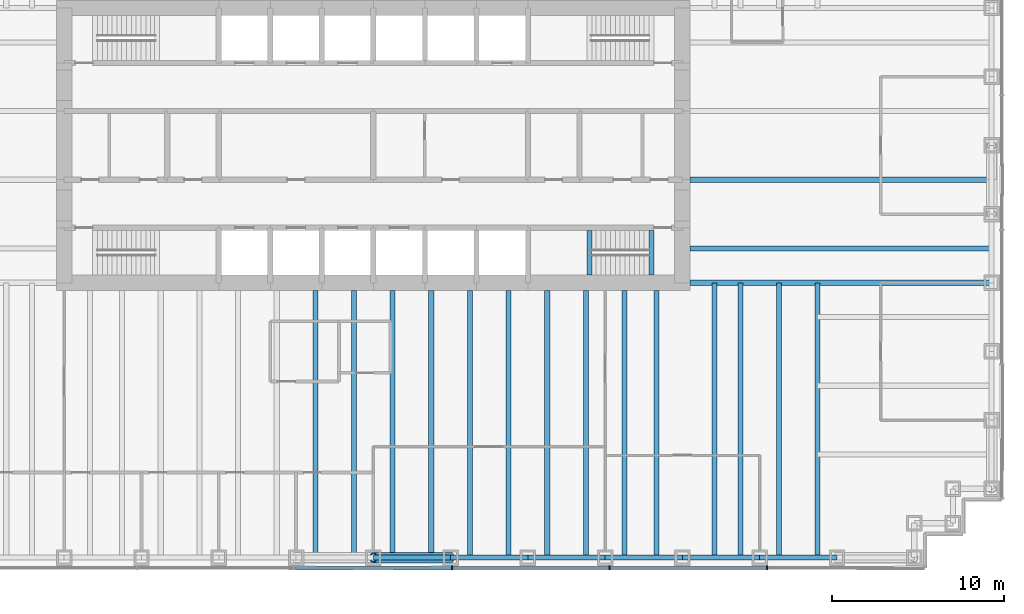
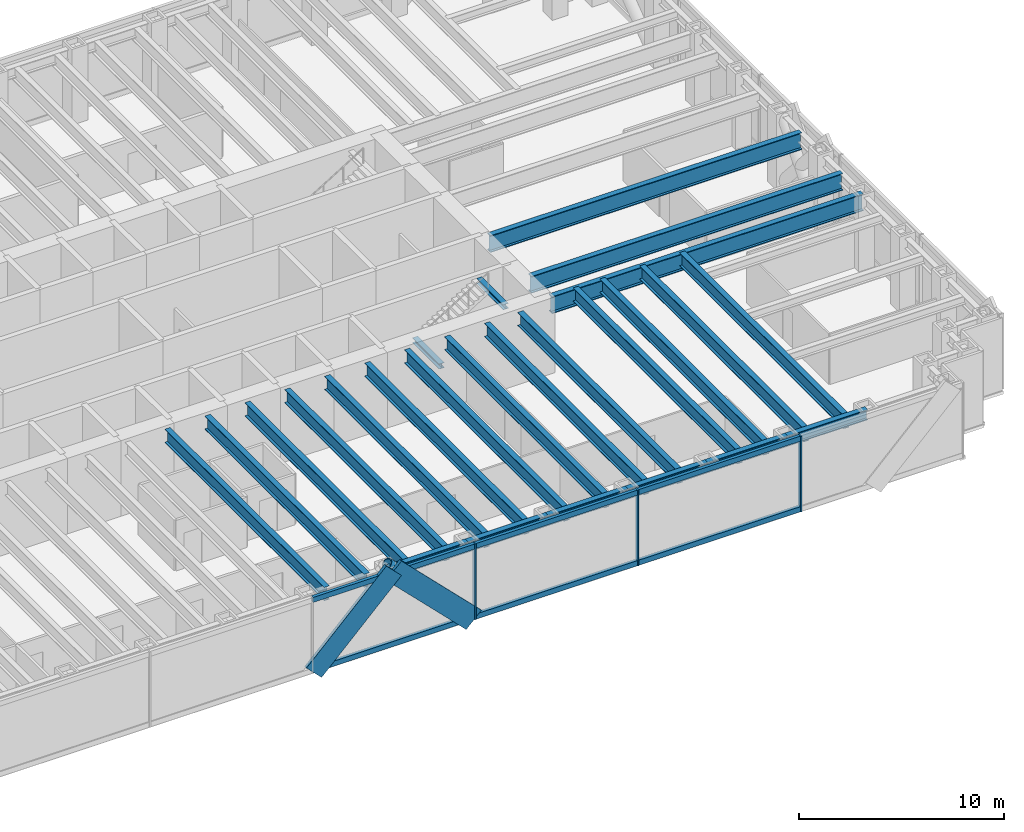
# One storey, part 3 of 13: 25 beams, 12 members, 1 element without a shape of its own.
"""IFC4 building model written with IfcOpenShell, lengths in metres."""

from ifc_helpers import new_model, si_unit, direction, frame, origin, origin_2d, place, context, subcontext, project, spatial, rectangle, hollow_circle, i_section, extrude, material, material_profile, profile_set, type_object, element, aggregate, save


model = new_model("IFC4")

# Units and contexts
model_context = context("Model", 3, precision=1e-05, world=origin(), true_north=direction((0.0, 1.0)))
body_context = subcontext(model_context, "Body", "Model", "MODEL_VIEW")
ifc_project = project(units=[si_unit("LENGTHUNIT", "METRE"), si_unit("AREAUNIT", "SQUARE_METRE"), si_unit("VOLUMEUNIT", "CUBIC_METRE"), si_unit("PLANEANGLEUNIT", "RADIAN"), si_unit("MASSUNIT", "GRAM", prefix="KILO")], contexts=[model_context])

# Site, building, storey
site_placement = place(None, origin())
site = spatial("IfcSite", under=ifc_project, at=site_placement, CompositionType="ELEMENT")
building_placement = place(site_placement, origin())
building = spatial("IfcBuilding", under=site, at=building_placement, Name="Rheinbord Bourse Tower", CompositionType="ELEMENT")
storey_placement = place(building_placement, frame((0.0, 0.0, 59.0)))
storey = spatial("IfcBuildingStorey", under=building, at=storey_placement, Name="L12", CompositionType="ELEMENT", Elevation=59.0)

# Curtain wall, members
ifc_material_1 = material(Name="Dark glass and black aluminium", Category="aluminium")
curtain_wall_type = type_object("IfcCurtainWallType", Name="CW1 DARK GLASS CURTAIN WALL", PredefinedType="USERDEFINED", material=ifc_material_1)
curtain_wall_placement = place(storey_placement, origin())
curtain_wall = element("IfcCurtainWall", 1, at=curtain_wall_placement, inside=storey, type_object=curtain_wall_type, Name="Curtain wall CW1 S L12", ObjectType="UNITISED CURTAIN WALL", PredefinedType="USERDEFINED")
ifc_material_2 = material(Name="Black anodised aluminium", Category="aluminium")
ifc_material_profile_1 = material_profile(ifc_material_2, rectangle(XDim=0.179931640625, YDim=1.2099609375, at=origin_2d()), Name="CW1 DIAGONAL MULLION 1210x180")
ifc_profile_set_1 = profile_set([ifc_material_profile_1], Name="Black anodised aluminium")
member_type_1 = type_object("IfcMemberType", Name="CW1 BLACK DIAGONAL MULLION", PredefinedType="USERDEFINED", material=ifc_profile_set_1)
member_1_placement = place(storey_placement, frame((40.5, -0.60009765625, 0.0), z_axis=(-0.707106781187, 0.0, 0.707106781187), x_axis=(0.0, -1.0, 0.0)))
member_1 = element("IfcMember", 2, at=member_1_placement, type_object=member_type_1, Name="CW1 diagonal mullion c", ObjectType="DIAGONAL MULLION", PredefinedType="USERDEFINED", context=body_context, shape_type="SweptSolid", body=[
    extrude(rectangle(XDim=0.179931640625, YDim=1.2099609375, at=origin_2d()), origin(), (0.0, 0.0, 1.0), 6.364013671875),
])
member_2_placement = place(storey_placement, frame((31.5, -0.60009765625, 0.0), z_axis=(0.707106781187, 0.0, 0.707106781187), x_axis=(0.0, 1.0, 0.0)))
member_2 = element("IfcMember", 3, at=member_2_placement, type_object=member_type_1, Name="CW1 diagonal mullion d", ObjectType="DIAGONAL MULLION", PredefinedType="USERDEFINED", context=body_context, shape_type="SweptSolid", body=[
    extrude(rectangle(XDim=0.179931640625, YDim=1.2099609375, at=origin_2d()), origin(), (0.0, 0.0, 1.0), 6.364013671875),
])
ifc_material_3 = material(Name="Black anodised aluminium", Category="aluminium")
ifc_material_profile_2 = material_profile(ifc_material_3, rectangle(XDim=0.25, YDim=0.080078125, at=origin_2d()), Name="CW1 MULLION 80x250")
ifc_profile_set_2 = profile_set([ifc_material_profile_2], Name="Black anodised aluminium")
member_type_2 = type_object("IfcMemberType", Name="CW1 BLACK MULLION", PredefinedType="MULLION", material=ifc_profile_set_2)
member_3_placement = place(storey_placement, frame((40.585693359375, -0.60009765625, 0.0), z_axis=(0.0, 0.0, 1.0), x_axis=(0.0, 1.0, 0.0)))
member_3 = element("IfcMember", 4, at=member_3_placement, type_object=member_type_2, Name="CW1 mullion 5", PredefinedType="MULLION", context=body_context, shape_type="SweptSolid", body=[
    extrude(rectangle(XDim=0.25, YDim=0.080078125, at=origin_2d()), origin(), (0.0, 0.0, 1.0), 4.5),
])
member_4_placement = place(storey_placement, frame((49.757080078125, -0.60009765625, 0.0), z_axis=(0.0, 0.0, 1.0), x_axis=(0.0, 1.0, 0.0)))
member_4 = element("IfcMember", 5, at=member_4_placement, type_object=member_type_2, Name="CW1 mullion 6", PredefinedType="MULLION", context=body_context, shape_type="SweptSolid", body=[
    extrude(rectangle(XDim=0.25, YDim=0.080078125, at=origin_2d()), origin(), (0.0, 0.0, 1.0), 4.5),
])
member_5_placement = place(storey_placement, frame((58.928466796875, -0.60009765625, 0.0), z_axis=(0.0, 0.0, 1.0), x_axis=(0.0, 1.0, 0.0)))
member_5 = element("IfcMember", 6, at=member_5_placement, type_object=member_type_2, Name="CW1 mullion 7", PredefinedType="MULLION", context=body_context, shape_type="SweptSolid", body=[
    extrude(rectangle(XDim=0.25, YDim=0.080078125, at=origin_2d()), origin(), (0.0, 0.0, 1.0), 4.5),
])
ifc_material_4 = material(Name="Black anodised aluminium", Category="aluminium")
ifc_material_profile_3 = material_profile(ifc_material_4, rectangle(XDim=0.179931640625, YDim=0.300048828125, at=origin_2d()), Name="CW1 TRANSOM 300x180")
ifc_profile_set_3 = profile_set([ifc_material_profile_3], Name="Black anodised aluminium")
member_type_3 = type_object("IfcMemberType", Name="CW1 BLACK TRANSOM", PredefinedType="USERDEFINED", material=ifc_profile_set_3)
member_6_placement = place(storey_placement, frame((31.454345703125, -0.60009765625, 0.14990234375), z_axis=(1.0, 0.0, 0.0), x_axis=(0.0, 1.0, 0.0)))
member_6 = element("IfcMember", 7, at=member_6_placement, type_object=member_type_3, Name="CW1 transom 4.1", ObjectType="TRANSOM", PredefinedType="USERDEFINED", context=body_context, shape_type="SweptSolid", body=[
    extrude(rectangle(XDim=0.179931640625, YDim=0.300048828125, at=origin_2d()), origin(), (0.0, 0.0, 1.0), 9.09130859375),
])
member_7_placement = place(storey_placement, frame((31.454345703125, -0.60009765625, 4.35009765625), z_axis=(1.0, 0.0, 0.0), x_axis=(0.0, 1.0, 0.0)))
member_7 = element("IfcMember", 8, at=member_7_placement, type_object=member_type_3, Name="CW1 transom 4.2", ObjectType="TRANSOM", PredefinedType="USERDEFINED", context=body_context, shape_type="SweptSolid", body=[
    extrude(rectangle(XDim=0.179931640625, YDim=0.300048828125, at=origin_2d()), origin(), (0.0, 0.0, 1.0), 9.09130859375),
])
member_8_placement = place(storey_placement, frame((40.625732421875, -0.60009765625, 0.14990234375), z_axis=(1.0, 0.0, 0.0), x_axis=(0.0, 1.0, 0.0)))
member_8 = element("IfcMember", 9, at=member_8_placement, type_object=member_type_3, Name="CW1 transom 5.1", ObjectType="TRANSOM", PredefinedType="USERDEFINED", context=body_context, shape_type="SweptSolid", body=[
    extrude(rectangle(XDim=0.179931640625, YDim=0.300048828125, at=origin_2d()), origin(), (0.0, 0.0, 1.0), 9.09130859375),
])
member_9_placement = place(storey_placement, frame((40.625732421875, -0.60009765625, 4.35009765625), z_axis=(1.0, 0.0, 0.0), x_axis=(0.0, 1.0, 0.0)))
member_9 = element("IfcMember", 10, at=member_9_placement, type_object=member_type_3, Name="CW1 transom 5.2", ObjectType="TRANSOM", PredefinedType="USERDEFINED", context=body_context, shape_type="SweptSolid", body=[
    extrude(rectangle(XDim=0.179931640625, YDim=0.300048828125, at=origin_2d()), origin(), (0.0, 0.0, 1.0), 9.09130859375),
])
member_10_placement = place(storey_placement, frame((49.797119140625, -0.60009765625, 0.14990234375), z_axis=(1.0, 0.0, 0.0), x_axis=(0.0, 1.0, 0.0)))
member_10 = element("IfcMember", 11, at=member_10_placement, type_object=member_type_3, Name="CW1 transom 6.1", ObjectType="TRANSOM", PredefinedType="USERDEFINED", context=body_context, shape_type="SweptSolid", body=[
    extrude(rectangle(XDim=0.179931640625, YDim=0.300048828125, at=origin_2d()), origin(), (0.0, 0.0, 1.0), 9.091552734375),
])
member_11_placement = place(storey_placement, frame((49.797119140625, -0.60009765625, 4.35009765625), z_axis=(1.0, 0.0, 0.0), x_axis=(0.0, 1.0, 0.0)))
member_11 = element("IfcMember", 12, at=member_11_placement, type_object=member_type_3, Name="CW1 transom 6.2", ObjectType="TRANSOM", PredefinedType="USERDEFINED", context=body_context, shape_type="SweptSolid", body=[
    extrude(rectangle(XDim=0.179931640625, YDim=0.300048828125, at=origin_2d()), origin(), (0.0, 0.0, 1.0), 9.091552734375),
])
aggregate(curtain_wall, [member_3, member_4, member_5, member_6, member_7, member_8, member_9, member_10, member_11, member_1, member_2])

# Beams
ifc_material_5 = material(Name="Steel S460", Category="steel")
ifc_material_profile_4 = material_profile(ifc_material_5, i_section(OverallWidth=0.302001953125, OverallDepth=1.008056640625, WebThickness=0.02099609375, FlangeThickness=0.0400390625, at=origin_2d()), Name="HEM 1000")
ifc_profile_set_4 = profile_set([ifc_material_profile_4], Name="Steel S460")
beam_type_1 = type_object("IfcBeamType", Name="END BEAM HEM 1000", PredefinedType="BEAM", material=ifc_profile_set_4)
for number, where, z_axis, x_axis, name in (
    (13, (54.449951171875, 18.0, 3.81591796875), (1.0, 0.0, 0.0), (0.0, 1.0, 0.0), "End beam east 18 L13"),
    (14, (54.449951171875, 22.0, 3.81591796875), (1.0, 0.0, 0.0), (0.0, 1.0, 0.0), "End beam east 22 L13"),
):
    element("IfcBeam", number, at=place(storey_placement, frame(where, z_axis=z_axis, x_axis=x_axis)), inside=storey, type_object=beam_type_1, Name=name, PredefinedType="BEAM", context=body_context, shape_type="SweptSolid", body=[
        extrude(i_section(OverallWidth=0.302001953125, OverallDepth=1.008056640625, WebThickness=0.02099609375, FlangeThickness=0.0400390625, at=origin_2d()), origin(), (0.0, 0.0, 1.0), 17.550048828125),
    ])
ifc_material_6 = material(Name="Steel S460", Category="steel")
ifc_material_profile_5 = material_profile(ifc_material_6, i_section(OverallWidth=0.300048828125, OverallDepth=0.800048828125, WebThickness=0.017578125, FlangeThickness=0.032958984375, at=origin_2d()), Name="HEB 800")
ifc_profile_set_5 = profile_set([ifc_material_profile_5], Name="Steel S460")
beam_type_2 = type_object("IfcBeamType", Name="FLOOR BEAM HEB 800", PredefinedType="BEAM", material=ifc_profile_set_5)
for number, where, z_axis, x_axis, name in (
    (15, (32.625, 0.0, 3.919921875), (0.0, 1.0, 0.0), (-1.0, 0.0, 0.0), "Floor beam S-31.5a L13"),
    (16, (34.875, 0.0, 3.919921875), (0.0, 1.0, 0.0), (-1.0, 0.0, 0.0), "Floor beam S-31.5b L13"),
    (17, (37.125, 0.0, 3.919921875), (0.0, 1.0, 0.0), (-1.0, 0.0, 0.0), "Floor beam S-36a L13"),
    (18, (39.375, 0.0, 3.919921875), (0.0, 1.0, 0.0), (-1.0, 0.0, 0.0), "Floor beam S-36b L13"),
    (19, (41.625, 0.0, 3.919921875), (0.0, 1.0, 0.0), (-1.0, 0.0, 0.0), "Floor beam S-40.5a L13"),
    (20, (43.875, 0.0, 3.919921875), (0.0, 1.0, 0.0), (-1.0, 0.0, 0.0), "Floor beam S-40.5b L13"),
    (21, (46.125, 0.0, 3.919921875), (0.0, 1.0, 0.0), (-1.0, 0.0, 0.0), "Floor beam S-45a L13"),
    (22, (48.375, 0.0, 3.919921875), (0.0, 1.0, 0.0), (-1.0, 0.0, 0.0), "Floor beam S-45b L13"),
    (23, (50.625, 0.0, 3.919921875), (0.0, 1.0, 0.0), (-1.0, 0.0, 0.0), "Floor beam S-49.5a L13"),
    (24, (52.5, 0.0, 3.919921875), (0.0, 1.0, 0.0), (-1.0, 0.0, 0.0), "Floor beam S-49.5b L13"),
):
    element("IfcBeam", number, at=place(storey_placement, frame(where, z_axis=z_axis, x_axis=x_axis)), inside=storey, type_object=beam_type_2, Name=name, PredefinedType="BEAM", context=body_context, shape_type="SweptSolid", body=[
        extrude(i_section(OverallWidth=0.300048828125, OverallDepth=0.800048828125, WebThickness=0.017578125, FlangeThickness=0.032958984375, at=origin_2d()), origin(), (0.0, 0.0, 1.0), 15.550048828125),
    ])
for number, where, z_axis, x_axis, name in (
    (25, (55.875, 0.0, 3.919921875), (0.0, 1.0, 0.0), (-1.0, 0.0, 0.0), "Floor beam S-54a L13"),
    (26, (57.375, 0.0, 3.919921875), (0.0, 1.0, 0.0), (-1.0, 0.0, 0.0), "Floor beam S-54b L13"),
    (27, (59.625, 0.0, 3.919921875), (0.0, 1.0, 0.0), (-1.0, 0.0, 0.0), "Floor beam S-58.5a L13"),
    (28, (61.875, 0.0, 3.919921875), (0.0, 1.0, 0.0), (-1.0, 0.0, 0.0), "Floor beam S-58.5b L13"),
):
    element("IfcBeam", number, at=place(storey_placement, frame(where, z_axis=z_axis, x_axis=x_axis)), inside=storey, type_object=beam_type_2, Name=name, PredefinedType="BEAM", context=body_context, shape_type="SweptSolid", body=[
        extrude(i_section(OverallWidth=0.300048828125, OverallDepth=0.800048828125, WebThickness=0.017578125, FlangeThickness=0.032958984375, at=origin_2d()), origin(), (0.0, 0.0, 1.0), 16.0),
    ])
ifc_material_7 = material(Name="Steel S460", Category="steel")
ifc_material_profile_6 = material_profile(ifc_material_7, i_section(OverallWidth=0.302001953125, OverallDepth=1.008056640625, WebThickness=0.02099609375, FlangeThickness=0.0400390625, at=origin_2d()), Name="HEM 1000")
ifc_profile_set_6 = profile_set([ifc_material_profile_6], Name="Steel S460")
beam_type_3 = type_object("IfcBeamType", Name="GIRDER HEM 1000", PredefinedType="BEAM", material=ifc_profile_set_6)
beam_placement = place(storey_placement, frame((54.449951171875, 16.0, 3.81591796875), z_axis=(1.0, 0.0, 0.0), x_axis=(0.0, 1.0, 0.0)))
element("IfcBeam", 29, at=beam_placement, inside=storey, type_object=beam_type_3, Name="Girder east 16 L13", PredefinedType="BEAM", context=body_context, shape_type="SweptSolid", body=[
    extrude(i_section(OverallWidth=0.302001953125, OverallDepth=1.008056640625, WebThickness=0.02099609375, FlangeThickness=0.0400390625, at=origin_2d()), origin(), (0.0, 0.0, 1.0), 17.550048828125),
])
ifc_material_8 = material(Name="Steel S460", Category="steel")
ifc_material_profile_7 = material_profile(ifc_material_8, i_section(OverallWidth=0.300048828125, OverallDepth=0.300048828125, WebThickness=0.010986328125, FlangeThickness=0.01904296875, at=origin_2d()), Name="HEB 300")
ifc_profile_set_7 = profile_set([ifc_material_profile_7], Name="Steel S460")
beam_type_4 = type_object("IfcBeamType", Name="LANDING TRIMMER HEB 300", PredefinedType="BEAM", material=ifc_profile_set_7)
for number, where, z_axis, x_axis, name in (
    (30, (48.590087890625, 16.449951171875, 1.89990234375), (0.0, 1.0, 0.0), (-1.0, 0.0, 0.0), "Landing trimmer ST3 L12"),
    (31, (52.199951171875, 16.449951171875, 4.169921875), (0.0, 1.0, 0.0), (-1.0, 0.0, 0.0), "Well trimmer ST3 under L13"),
):
    element("IfcBeam", number, at=place(storey_placement, frame(where, z_axis=z_axis, x_axis=x_axis)), inside=storey, type_object=beam_type_4, Name=name, PredefinedType="BEAM", context=body_context, shape_type="SweptSolid", body=[
        extrude(i_section(OverallWidth=0.300048828125, OverallDepth=0.300048828125, WebThickness=0.010986328125, FlangeThickness=0.01904296875, at=origin_2d()), origin(), (0.0, 0.0, 1.0), 2.60009765625),
    ])

# Member
ifc_material_9 = material(Name="Steel S460", Category="steel")
ifc_material_profile_8 = material_profile(ifc_material_9, hollow_circle(Radius=0.304931640625, WallThickness=0.050048828125, at=origin_2d()), Name="CHS 610x50")
ifc_profile_set_8 = profile_set([ifc_material_profile_8], Name="Steel S460")
member_type_4 = type_object("IfcMemberType", Name="MEGABRACE CHS 610x50", PredefinedType="BRACE", material=ifc_profile_set_8)
member_12_placement = place(storey_placement, frame((40.5, 0.0, 0.0), z_axis=(-0.707106781187, 0.0, 0.707106781187), x_axis=(0.0, -1.0, 0.0)))
element("IfcMember", 32, at=member_12_placement, inside=storey, type_object=member_type_4, Name="Megabrace S face line c L12", PredefinedType="BRACE", context=body_context, shape_type="SweptSolid", body=[
    extrude(hollow_circle(Radius=0.304931640625, WallThickness=0.050048828125, at=origin_2d()), origin(), (0.0, 0.0, 1.0), 6.364013671875),
])

# Beams
ifc_material_10 = material(Name="Steel S460", Category="steel")
ifc_material_profile_9 = material_profile(ifc_material_10, i_section(OverallWidth=0.304931640625, OverallDepth=0.6201171875, WebThickness=0.02099609375, FlangeThickness=0.0400390625, at=origin_2d()), Name="HEM 600")
ifc_profile_set_9 = profile_set([ifc_material_profile_9], Name="Steel S460")
beam_type_5 = type_object("IfcBeamType", Name="SPANDREL HEM 600", PredefinedType="SPANDREL", material=ifc_profile_set_9)
for number, where, z_axis, x_axis, name in (
    (33, (36.0, 0.0, 4.010009765625), (1.0, 0.0, 0.0), (0.0, 1.0, 0.0), "Spandrel S-36-S-40.5 under L13"),
    (34, (40.5, 0.0, 4.010009765625), (1.0, 0.0, 0.0), (0.0, 1.0, 0.0), "Spandrel S-40.5-S-45 under L13"),
    (35, (45.0, 0.0, 4.010009765625), (1.0, 0.0, 0.0), (0.0, 1.0, 0.0), "Spandrel S-45-S-49.5 under L13"),
    (36, (49.5, 0.0, 4.010009765625), (1.0, 0.0, 0.0), (0.0, 1.0, 0.0), "Spandrel S-49.5-S-54 under L13"),
    (37, (54.0, 0.0, 4.010009765625), (1.0, 0.0, 0.0), (0.0, 1.0, 0.0), "Spandrel S-54-S-58.5 under L13"),
    (38, (58.5, 0.0, 4.010009765625), (1.0, 0.0, 0.0), (0.0, 1.0, 0.0), "Spandrel S-58.5-S-63 under L13"),
):
    element("IfcBeam", number, at=place(storey_placement, frame(where, z_axis=z_axis, x_axis=x_axis)), inside=storey, type_object=beam_type_5, Name=name, PredefinedType="SPANDREL", context=body_context, shape_type="SweptSolid", body=[
        extrude(i_section(OverallWidth=0.304931640625, OverallDepth=0.6201171875, WebThickness=0.02099609375, FlangeThickness=0.0400390625, at=origin_2d()), origin(), (0.0, 0.0, 1.0), 4.5),
    ])

save(model, "model.ifc")
